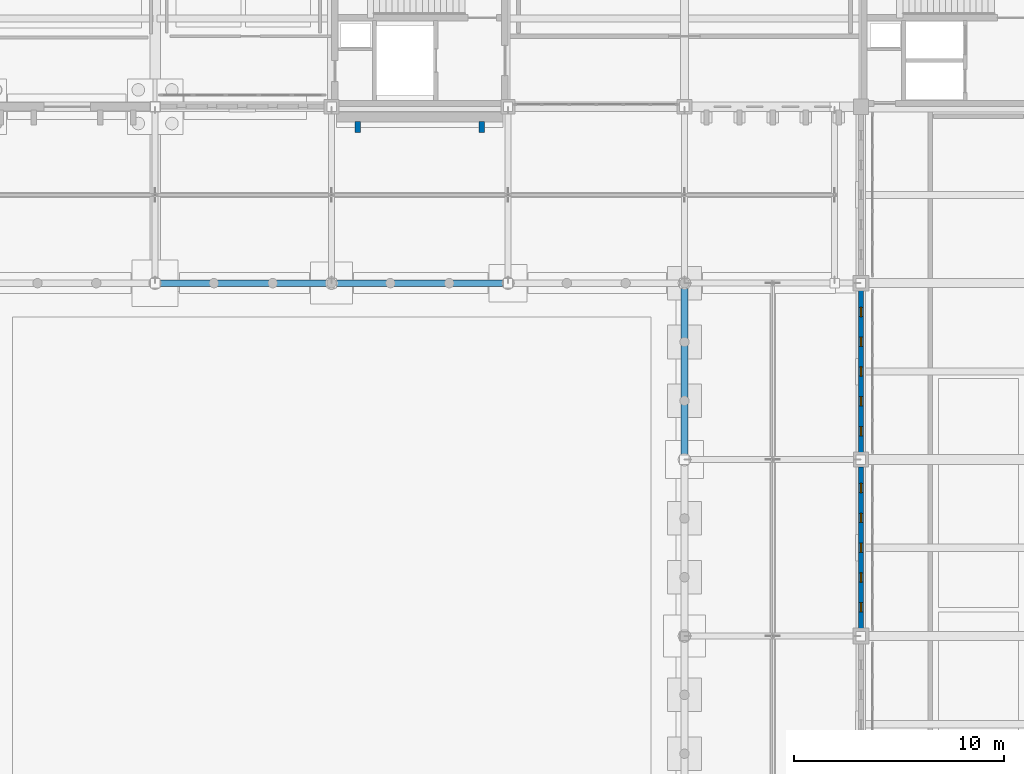
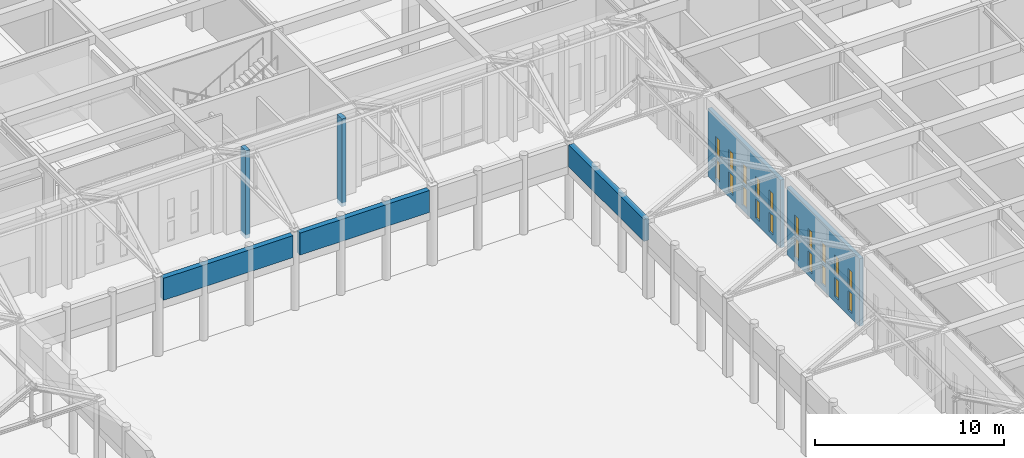
# One storey, part 120 of 143: 20 windows, 7 walls, 20 openings.
"""IFC4 building model written with IfcOpenShell, lengths in metres."""

import ifcopenshell
import ifcopenshell.guid

model = None  # the IFC model being written
_history = None  # IfcOwnerHistory: only IFC2X3 demands one
_inside = {}  # id of a spatial element -> (the spatial element, [elements in it])
_under = {}  # id of a project, library or spatial element -> (it, [spatial elements below it])
_declared = {}  # id of a project -> (the project, [libraries it declares])
_typed = {}  # id of a type object -> (the type object, [elements of that type])
_made_of = {}  # id of a material, layer set ... -> (it, [elements and type objects made of it])


def new_model(schema):
    """Start an empty IFC model of exactly this schema.

    Asked for "IFC4X3", IfcOpenShell would pick the latest addendum, in which some entities
    have other attributes; the version numbers below select the first issue.
    IFC2X3 requires an IfcOwnerHistory on every rooted entity: one is made here for all.
    """
    global model, _history
    if schema == "IFC4X3":
        model = ifcopenshell.file(schema_version=(4, 3, 0, 0))
    else:
        model = ifcopenshell.file(schema=schema)
    _inside.clear()
    _under.clear()
    _declared.clear()
    _typed.clear()
    _made_of.clear()
    _history = None
    if model.schema == "IFC2X3":
        org = make("IfcOrganization", Name="unknown")
        user = make(
            "IfcPersonAndOrganization",
            ThePerson=make("IfcPerson", FamilyName="unknown"),
            TheOrganization=org,
        )
        app = make(
            "IfcApplication",
            ApplicationDeveloper=org,
            Version="unknown",
            ApplicationFullName="unknown",
            ApplicationIdentifier="unknown",
        )
        _history = make(
            "IfcOwnerHistory",
            OwningUser=user,
            OwningApplication=app,
            ChangeAction="ADDED",
            CreationDate=0,
        )
    return model


def make(cls, **values):
    """One entity of the class cls with the attributes given. An attribute that is None is left unset."""
    return model.create_entity(
        cls, **{name: value for name, value in values.items() if value is not None}
    )


def rooted(cls, **values):
    """An entity with a GlobalId (a new one), such as an element, a storey or a relation."""
    return make(cls, GlobalId=ifcopenshell.guid.new(), OwnerHistory=_history, **values)


def si_unit(unit_type, name, prefix=None):
    """IfcSIUnit, for example si_unit("LENGTHUNIT", "METRE", prefix="MILLI")."""
    return make("IfcSIUnit", UnitType=unit_type, Prefix=prefix, Name=name)


def assignment(units):
    """IfcUnitAssignment: the units of a project."""
    return None if units is None else make("IfcUnitAssignment", Units=units)


def point(xyz):
    """IfcCartesianPoint."""
    return None if xyz is None else make("IfcCartesianPoint", Coordinates=xyz)


def direction(xyz):
    """IfcDirection."""
    return None if xyz is None else make("IfcDirection", DirectionRatios=xyz)


def frame(location, z_axis=None, x_axis=None):
    """IfcAxis2Placement3D, a coordinate frame: its origin and axes. An axis left out is left unset."""
    return make(
        "IfcAxis2Placement3D",
        Location=point(location),
        Axis=direction(z_axis),
        RefDirection=direction(x_axis),
    )


def frame_2d(location, x_axis=None):
    """IfcAxis2Placement2D, a coordinate frame in the plane: its origin and x axis."""
    return make(
        "IfcAxis2Placement2D", Location=point(location), RefDirection=direction(x_axis)
    )


def origin():
    """The frame at (0, 0, 0) with its axes left unset."""
    return frame((0.0, 0.0, 0.0))


def place(relative_to, where):
    """IfcLocalPlacement: puts the frame where relative to a parent placement (None: the world)."""
    return make(
        "IfcLocalPlacement", PlacementRelTo=relative_to, RelativePlacement=where
    )


def context(
    kind, dimensions, precision=None, world=None, true_north=None, identifier=None
):
    """IfcGeometricRepresentationContext, for example the 3D "Model" context."""
    return make(
        "IfcGeometricRepresentationContext",
        ContextIdentifier=identifier,
        ContextType=kind,
        CoordinateSpaceDimension=dimensions,
        Precision=precision,
        WorldCoordinateSystem=world,
        TrueNorth=true_north,
    )


def subcontext(parent, identifier, kind, view, scale=None):
    """IfcGeometricRepresentationSubContext, for example "Body" below "Model"."""
    return make(
        "IfcGeometricRepresentationSubContext",
        ContextIdentifier=identifier,
        ContextType=kind,
        ParentContext=parent,
        TargetScale=scale,
        TargetView=view,
    )


def project(units=None, contexts=None):
    """IfcProject with its units and contexts."""
    return rooted(
        "IfcProject",
        Name="project",
        RepresentationContexts=contexts,
        UnitsInContext=assignment(units),
    )


def spatial(cls, under=None, at=None, **own):
    """A site, building, storey or space (cls), placed at a placement, below another one or the project."""
    s = rooted(cls, ObjectPlacement=at, **own)
    if under is not None:
        _under.setdefault(under.id(), (under, []))[1].append(s)
    return s


def profile(cls, at=None, kind="AREA", **sizes):
    """A parametric profile (cls). Its sizes go by their IFC names, for example OverallWidth=200.0."""
    return make(cls, ProfileType=kind, Position=at, **sizes)


def rectangle(**sizes):
    """IfcRectangleProfileDef."""
    return profile("IfcRectangleProfileDef", **sizes)


def extrude(swept, where, along, depth):
    """IfcExtrudedAreaSolid: the profile swept, set in the frame where, extruded along a direction by depth."""
    return make(
        "IfcExtrudedAreaSolid",
        SweptArea=swept,
        Position=where,
        ExtrudedDirection=direction(along),
        Depth=depth,
    )


def shape(context_of_items, identifier, shape_type, items):
    """IfcShapeRepresentation: the items that make up one representation, for example the "Body"."""
    return make(
        "IfcShapeRepresentation",
        ContextOfItems=context_of_items,
        RepresentationIdentifier=identifier,
        RepresentationType=shape_type,
        Items=items,
    )


def material(Name=None, Category=None):
    """IfcMaterial."""
    return make("IfcMaterial", Name=Name, Category=Category)


def layer(
    of_material, thickness, ventilated=None, Name=None, Category=None, Priority=None
):
    """IfcMaterialLayer: one layer of a wall or slab, of a material (None: an air gap)."""
    return make(
        "IfcMaterialLayer",
        Material=of_material,
        LayerThickness=thickness,
        IsVentilated=ventilated,
        Name=Name,
        Category=Category,
        Priority=Priority,
    )


def layer_set(layers, Name=None):
    """IfcMaterialLayerSet."""
    return make("IfcMaterialLayerSet", MaterialLayers=layers, LayerSetName=Name)


def made_of(thing, what):
    """Note that an element or type object is made of a material, layer set ...; save() writes the relation."""
    if what is not None:
        _made_of.setdefault(what.id(), (what, []))[1].append(thing)
    return thing


def type_object(cls, material=None, **own):
    """A type object (cls), such as IfcWallType, which elements share."""
    return made_of(rooted(cls, **own), material)


def element(
    cls,
    number,
    at=None,
    inside=None,
    cuts=None,
    type_object=None,
    material=None,
    context=None,
    identifier="Body",
    shape_type=None,
    held_by="IfcProductDefinitionShape",
    body=None,
    shapes=None,
    **own,
):
    """One element of the class cls, such as IfcWall. Its Tag is "e" and its number.

    at: its placement. inside: the storey or other place that contains it. cuts: it is an
    opening in that element (IfcRelVoidsElement). A single representation is given by context,
    identifier, shape_type and body (its items); several are given by shapes. held_by: the class
    of the entity that holds the representations. save() writes the other relations.
    """
    e = rooted(cls, Tag="e%d" % number, ObjectPlacement=at, **own)
    if body is not None:
        shapes = [shape(context, identifier, shape_type, body)]
    if shapes is not None:
        e.Representation = make(held_by, Representations=shapes)
    if inside is not None:
        _inside.setdefault(inside.id(), (inside, []))[1].append(e)
    if cuts is not None:
        rooted(
            "IfcRelVoidsElement", RelatingBuildingElement=cuts, RelatedOpeningElement=e
        )
    if type_object is not None:
        _typed.setdefault(type_object.id(), (type_object, []))[1].append(e)
    return made_of(e, material)


def fill(opening, filler):
    """IfcRelFillsElement: the door or window that sits in an opening."""
    return rooted(
        "IfcRelFillsElement",
        RelatingOpeningElement=opening,
        RelatedBuildingElement=filler,
    )


def aggregate(whole, parts):
    """IfcRelAggregates: a whole, such as a stair, and the parts it consists of."""
    return rooted("IfcRelAggregates", RelatingObject=whole, RelatedObjects=parts)


def save(model, path):
    """Write the relations noted so far, then the file.

    IfcRelAggregates (storeys below a building ...), IfcRelContainedInSpatialStructure (elements
    in a storey), IfcRelDefinesByType, IfcRelAssociatesMaterial and IfcRelDeclares: one each for
    every whole, place, type object, material and project.
    """
    for whole, parts in _under.values():
        aggregate(whole, parts)
    for where, things in _inside.values():
        rooted(
            "IfcRelContainedInSpatialStructure",
            RelatedElements=things,
            RelatingStructure=where,
        )
    for kind, things in _typed.values():
        rooted("IfcRelDefinesByType", RelatedObjects=things, RelatingType=kind)
    for what, things in _made_of.values():
        rooted("IfcRelAssociatesMaterial", RelatedObjects=things, RelatingMaterial=what)
    for by, libraries in _declared.values():
        rooted("IfcRelDeclares", RelatingContext=by, RelatedDefinitions=libraries)
    model.write(path)


model = new_model("IFC4")

# Units and contexts
model_context = context("Model", 3, precision=1e-05, world=origin(), true_north=direction((0.0, 1.0)))
body_context = subcontext(model_context, "Body", "Model", "MODEL_VIEW")
ifc_project = project(units=[si_unit("LENGTHUNIT", "METRE"), si_unit("AREAUNIT", "SQUARE_METRE"), si_unit("VOLUMEUNIT", "CUBIC_METRE"), si_unit("PLANEANGLEUNIT", "RADIAN"), si_unit("MASSUNIT", "GRAM", prefix="KILO")], contexts=[model_context])

# Site, building, storey
site_placement = place(None, origin())
site = spatial("IfcSite", under=ifc_project, at=site_placement, CompositionType="ELEMENT")
building_placement = place(site_placement, origin())
building = spatial("IfcBuilding", under=site, at=building_placement, Name="Kveldsbrygga Polytechnic", CompositionType="ELEMENT")
storey_placement = place(building_placement, origin())
storey = spatial("IfcBuildingStorey", under=building, at=storey_placement, Name="L00", CompositionType="ELEMENT", Elevation=0.0)

# Walls
ifc_material_1 = material(Name="Fired clay brick masonry M10", Category="masonry")
ifc_layer_1 = layer(ifc_material_1, 0.320068359375)
ifc_layer_set_1 = layer_set([ifc_layer_1], Name="Fired clay brick masonry M10")
wall_type_1 = type_object("IfcWallType", Name="EW-ARC-320", PredefinedType="SOLIDWALL", material=ifc_layer_set_1)
wall_1_placement = place(storey_placement, frame((92.659912109375, 75.60009765625, 3.455078125), z_axis=(0.0, 0.0, 1.0), x_axis=(1.0, 0.0, 0.0)))
element("IfcWall", 1, at=wall_1_placement, inside=storey, type_object=wall_type_1, Name="Cloister Arcade Brick Arch Header ARC-HDR-13", PredefinedType="SOLIDWALL", context=body_context, shape_type="SweptSolid", body=[
    extrude(rectangle(XDim=7.93017578125, YDim=0.320068359375, at=frame_2d((3.965087890625, 0.0))), origin(), (0.0, 0.0, 1.0), 1.4248046875),
])
wall_2_placement = place(storey_placement, frame((101.010009765625, 75.60009765625, 3.455078125), z_axis=(0.0, 0.0, 1.0), x_axis=(1.0, 0.0, 0.0)))
element("IfcWall", 2, at=wall_2_placement, inside=storey, type_object=wall_type_1, Name="Cloister Arcade Brick Arch Header ARC-HDR-14", PredefinedType="SOLIDWALL", context=body_context, shape_type="SweptSolid", body=[
    extrude(rectangle(XDim=7.929931640625, YDim=0.320068359375, at=frame_2d((3.96484375, 0.0))), origin(), (0.0, 0.0, 1.0), 1.4248046875),
])
wall_3_placement = place(storey_placement, frame((117.60009765625, 67.409912109375, 3.455078125), z_axis=(0.0, 0.0, 1.0), x_axis=(0.0, 1.0, 0.0)))
element("IfcWall", 3, at=wall_3_placement, inside=storey, type_object=wall_type_1, Name="Cloister Arcade Brick Arch Header ARC-HDR-25", PredefinedType="SOLIDWALL", context=body_context, shape_type="SweptSolid", body=[
    extrude(rectangle(XDim=7.97998046875, YDim=0.320068359375, at=frame_2d((3.989990234375, 0.0))), origin(), (0.0, 0.0, 1.0), 1.4248046875),
])
ifc_layer_2 = layer(ifc_material_1, 0.260009765625)
ifc_layer_set_2 = layer_set([ifc_layer_2], Name="Fired clay brick masonry M10")
wall_type_2 = type_object("IfcWallType", Name="EW-BUTT-260", PredefinedType="SOLIDWALL", material=ifc_layer_set_2)
for number, where, z_axis, x_axis, name in (
    (4, (102.050048828125, 83.300048828125, -0.25), (0.0, 0.0, 1.0), (0.0, -1.0, 0.0), "Gothic Brick Buttress Pier BCLAS-L00-X-12-10-1"),
    (5, (107.949951171875, 83.300048828125, -0.25), (0.0, 0.0, 1.0), (0.0, -1.0, 0.0), "Gothic Brick Buttress Pier BCLAS-L00-X-12-10-2"),
):
    element("IfcWall", number, at=place(storey_placement, frame(where, z_axis=z_axis, x_axis=x_axis)), inside=storey, type_object=wall_type_2, Name=name, PredefinedType="SOLIDWALL", context=body_context, shape_type="SweptSolid", body=[
        extrude(rectangle(XDim=0.52001953125, YDim=0.260009765625, at=frame_2d((0.260009765625, 0.0))), origin(), (0.0, 0.0, 1.0), 5.68994140625),
    ])

# Wall, openings, windows
ifc_layer_3 = layer(ifc_material_1, 0.239990234375)
ifc_layer_set_3 = layer_set([ifc_layer_3], Name="Fired clay brick masonry M10")
wall_type_3 = type_object("IfcWallType", Name="EW-SCRN-240", PredefinedType="SOLIDWALL", material=ifc_layer_set_3)
wall_4_placement = place(storey_placement, frame((126.0, 59.159912109375, 0.0), z_axis=(0.0, 0.0, 1.0), x_axis=(0.0, 1.0, 0.0)))
wall_4 = element("IfcWall", 6, at=wall_4_placement, inside=storey, type_object=wall_type_3, Name="Perforated Brick Corridor Screen Wall SCRW-L00-Y-15-07", PredefinedType="SOLIDWALL", context=body_context, shape_type="SweptSolid", body=[
    extrude(rectangle(XDim=7.695068359375, YDim=0.239990234375, at=frame_2d((3.84765625, 0.0))), origin(), (0.0, 0.0, 1.0), 4.389892578125),
])
opening_1_placement = place(wall_4_placement, frame((0.78955078125, 0.0, 0.35009765625)))
opening_1 = element("IfcOpeningElement", 7, at=opening_1_placement, cuts=wall_4, Name="Opening W-48", PredefinedType="OPENING", context=body_context, shape_type="SweptSolid", body=[
    extrude(rectangle(XDim=0.43994140625, YDim=1.25, at=frame_2d((0.219970703125, 0.625))), frame((0.0, 0.1298828125, 0.0), z_axis=(0.0, -1.0, 0.0), x_axis=(1.0, 0.0, 0.0)), (0.0, 0.0, 1.0), 0.260009765625),
])
opening_2_placement = place(wall_4_placement, frame((2.20849609375, 0.0, 0.35009765625)))
opening_2 = element("IfcOpeningElement", 8, at=opening_2_placement, cuts=wall_4, Name="Opening W-48", PredefinedType="OPENING", context=body_context, shape_type="SweptSolid", body=[
    extrude(rectangle(XDim=0.43994140625, YDim=1.25, at=frame_2d((0.219970703125, 0.625))), frame((0.0, 0.1298828125, 0.0), z_axis=(0.0, -1.0, 0.0), x_axis=(1.0, 0.0, 0.0)), (0.0, 0.0, 1.0), 0.260009765625),
])
opening_3_placement = place(wall_4_placement, frame((3.62744140625, 0.0, 0.35009765625)))
opening_3 = element("IfcOpeningElement", 9, at=opening_3_placement, cuts=wall_4, Name="Opening W-48", PredefinedType="OPENING", context=body_context, shape_type="SweptSolid", body=[
    extrude(rectangle(XDim=0.43994140625, YDim=1.25, at=frame_2d((0.219970703125, 0.625))), frame((0.0, 0.1298828125, 0.0), z_axis=(0.0, -1.0, 0.0), x_axis=(1.0, 0.0, 0.0)), (0.0, 0.0, 1.0), 0.260009765625),
])
opening_4_placement = place(wall_4_placement, frame((5.04638671875, 0.0, 0.35009765625)))
opening_4 = element("IfcOpeningElement", 10, at=opening_4_placement, cuts=wall_4, Name="Opening W-48", PredefinedType="OPENING", context=body_context, shape_type="SweptSolid", body=[
    extrude(rectangle(XDim=0.43994140625, YDim=1.25, at=frame_2d((0.219970703125, 0.625))), frame((0.0, 0.1298828125, 0.0), z_axis=(0.0, -1.0, 0.0), x_axis=(1.0, 0.0, 0.0)), (0.0, 0.0, 1.0), 0.260009765625),
])
opening_5_placement = place(wall_4_placement, frame((6.465576171875, 0.0, 0.35009765625)))
opening_5 = element("IfcOpeningElement", 11, at=opening_5_placement, cuts=wall_4, Name="Opening W-48", PredefinedType="OPENING", context=body_context, shape_type="SweptSolid", body=[
    extrude(rectangle(XDim=0.43994140625, YDim=1.25, at=frame_2d((0.219970703125, 0.625))), frame((0.0, 0.1298828125, 0.0), z_axis=(0.0, -1.0, 0.0), x_axis=(1.0, 0.0, 0.0)), (0.0, 0.0, 1.0), 0.260009765625),
])
opening_6_placement = place(wall_4_placement, frame((0.78955078125, 0.0, 1.800048828125)))
opening_6 = element("IfcOpeningElement", 12, at=opening_6_placement, cuts=wall_4, Name="Opening W-48", PredefinedType="OPENING", context=body_context, shape_type="SweptSolid", body=[
    extrude(rectangle(XDim=0.43994140625, YDim=1.25, at=frame_2d((0.219970703125, 0.625))), frame((0.0, 0.1298828125, 0.0), z_axis=(0.0, -1.0, 0.0), x_axis=(1.0, 0.0, 0.0)), (0.0, 0.0, 1.0), 0.260009765625),
])
opening_7_placement = place(wall_4_placement, frame((2.20849609375, 0.0, 1.800048828125)))
opening_7 = element("IfcOpeningElement", 13, at=opening_7_placement, cuts=wall_4, Name="Opening W-48", PredefinedType="OPENING", context=body_context, shape_type="SweptSolid", body=[
    extrude(rectangle(XDim=0.43994140625, YDim=1.25, at=frame_2d((0.219970703125, 0.625))), frame((0.0, 0.1298828125, 0.0), z_axis=(0.0, -1.0, 0.0), x_axis=(1.0, 0.0, 0.0)), (0.0, 0.0, 1.0), 0.260009765625),
])
opening_8_placement = place(wall_4_placement, frame((3.62744140625, 0.0, 1.800048828125)))
opening_8 = element("IfcOpeningElement", 14, at=opening_8_placement, cuts=wall_4, Name="Opening W-48", PredefinedType="OPENING", context=body_context, shape_type="SweptSolid", body=[
    extrude(rectangle(XDim=0.43994140625, YDim=1.25, at=frame_2d((0.219970703125, 0.625))), frame((0.0, 0.1298828125, 0.0), z_axis=(0.0, -1.0, 0.0), x_axis=(1.0, 0.0, 0.0)), (0.0, 0.0, 1.0), 0.260009765625),
])
opening_9_placement = place(wall_4_placement, frame((5.04638671875, 0.0, 1.800048828125)))
opening_9 = element("IfcOpeningElement", 15, at=opening_9_placement, cuts=wall_4, Name="Opening W-48", PredefinedType="OPENING", context=body_context, shape_type="SweptSolid", body=[
    extrude(rectangle(XDim=0.43994140625, YDim=1.25, at=frame_2d((0.219970703125, 0.625))), frame((0.0, 0.1298828125, 0.0), z_axis=(0.0, -1.0, 0.0), x_axis=(1.0, 0.0, 0.0)), (0.0, 0.0, 1.0), 0.260009765625),
])
opening_10_placement = place(wall_4_placement, frame((6.465576171875, 0.0, 1.800048828125)))
opening_10 = element("IfcOpeningElement", 16, at=opening_10_placement, cuts=wall_4, Name="Opening W-48", PredefinedType="OPENING", context=body_context, shape_type="SweptSolid", body=[
    extrude(rectangle(XDim=0.43994140625, YDim=1.25, at=frame_2d((0.219970703125, 0.625))), frame((0.0, 0.1298828125, 0.0), z_axis=(0.0, -1.0, 0.0), x_axis=(1.0, 0.0, 0.0)), (0.0, 0.0, 1.0), 0.260009765625),
])
ifc_material_2 = material(Name="Insulated triple low-E glass", Category="glass")
window_type = type_object("IfcWindowType", Name="WN-SCRN-044x125", PartitioningType="SINGLE_PANEL", PredefinedType="WINDOW", material=ifc_material_2)
window_1_placement = place(opening_1_placement, origin())
window_1 = element("IfcWindow", 17, at=window_1_placement, inside=storey, type_object=window_type, Name="Perforated Screen Aperture L00-Y-15-07-1", OverallHeight=1.25, OverallWidth=0.43994140625, PartitioningType="SINGLE_PANEL", PredefinedType="WINDOW", context=body_context, shape_type="SweptSolid", body=[
    extrude(rectangle(XDim=0.43994140625, YDim=1.25, at=frame_2d((0.219970703125, 0.625))), frame((0.0, 0.030029296875, 0.0), z_axis=(0.0, -1.0, 0.0), x_axis=(1.0, 0.0, 0.0)), (0.0, 0.0, 1.0), 0.06005859375),
])
fill(opening_1, window_1)
window_2_placement = place(opening_2_placement, origin())
window_2 = element("IfcWindow", 18, at=window_2_placement, inside=storey, type_object=window_type, Name="Perforated Screen Aperture L00-Y-15-07-2", OverallHeight=1.25, OverallWidth=0.43994140625, PartitioningType="SINGLE_PANEL", PredefinedType="WINDOW", context=body_context, shape_type="SweptSolid", body=[
    extrude(rectangle(XDim=0.43994140625, YDim=1.25, at=frame_2d((0.219970703125, 0.625))), frame((0.0, 0.030029296875, 0.0), z_axis=(0.0, -1.0, 0.0), x_axis=(1.0, 0.0, 0.0)), (0.0, 0.0, 1.0), 0.06005859375),
])
fill(opening_2, window_2)
window_3_placement = place(opening_3_placement, origin())
window_3 = element("IfcWindow", 19, at=window_3_placement, inside=storey, type_object=window_type, Name="Perforated Screen Aperture L00-Y-15-07-3", OverallHeight=1.25, OverallWidth=0.43994140625, PartitioningType="SINGLE_PANEL", PredefinedType="WINDOW", context=body_context, shape_type="SweptSolid", body=[
    extrude(rectangle(XDim=0.43994140625, YDim=1.25, at=frame_2d((0.219970703125, 0.625))), frame((0.0, 0.030029296875, 0.0), z_axis=(0.0, -1.0, 0.0), x_axis=(1.0, 0.0, 0.0)), (0.0, 0.0, 1.0), 0.06005859375),
])
fill(opening_3, window_3)
window_4_placement = place(opening_4_placement, origin())
window_4 = element("IfcWindow", 20, at=window_4_placement, inside=storey, type_object=window_type, Name="Perforated Screen Aperture L00-Y-15-07-4", OverallHeight=1.25, OverallWidth=0.43994140625, PartitioningType="SINGLE_PANEL", PredefinedType="WINDOW", context=body_context, shape_type="SweptSolid", body=[
    extrude(rectangle(XDim=0.43994140625, YDim=1.25, at=frame_2d((0.219970703125, 0.625))), frame((0.0, 0.030029296875, 0.0), z_axis=(0.0, -1.0, 0.0), x_axis=(1.0, 0.0, 0.0)), (0.0, 0.0, 1.0), 0.06005859375),
])
fill(opening_4, window_4)
window_5_placement = place(opening_5_placement, origin())
window_5 = element("IfcWindow", 21, at=window_5_placement, inside=storey, type_object=window_type, Name="Perforated Screen Aperture L00-Y-15-07-5", OverallHeight=1.25, OverallWidth=0.43994140625, PartitioningType="SINGLE_PANEL", PredefinedType="WINDOW", context=body_context, shape_type="SweptSolid", body=[
    extrude(rectangle(XDim=0.43994140625, YDim=1.25, at=frame_2d((0.219970703125, 0.625))), frame((0.0, 0.030029296875, 0.0), z_axis=(0.0, -1.0, 0.0), x_axis=(1.0, 0.0, 0.0)), (0.0, 0.0, 1.0), 0.06005859375),
])
fill(opening_5, window_5)
window_6_placement = place(opening_6_placement, origin())
window_6 = element("IfcWindow", 22, at=window_6_placement, inside=storey, type_object=window_type, Name="Perforated Screen Aperture L00-Y-15-07-6", OverallHeight=1.25, OverallWidth=0.43994140625, PartitioningType="SINGLE_PANEL", PredefinedType="WINDOW", context=body_context, shape_type="SweptSolid", body=[
    extrude(rectangle(XDim=0.43994140625, YDim=1.25, at=frame_2d((0.219970703125, 0.625))), frame((0.0, 0.030029296875, 0.0), z_axis=(0.0, -1.0, 0.0), x_axis=(1.0, 0.0, 0.0)), (0.0, 0.0, 1.0), 0.06005859375),
])
fill(opening_6, window_6)
window_7_placement = place(opening_7_placement, origin())
window_7 = element("IfcWindow", 23, at=window_7_placement, inside=storey, type_object=window_type, Name="Perforated Screen Aperture L00-Y-15-07-7", OverallHeight=1.25, OverallWidth=0.43994140625, PartitioningType="SINGLE_PANEL", PredefinedType="WINDOW", context=body_context, shape_type="SweptSolid", body=[
    extrude(rectangle(XDim=0.43994140625, YDim=1.25, at=frame_2d((0.219970703125, 0.625))), frame((0.0, 0.030029296875, 0.0), z_axis=(0.0, -1.0, 0.0), x_axis=(1.0, 0.0, 0.0)), (0.0, 0.0, 1.0), 0.06005859375),
])
fill(opening_7, window_7)
window_8_placement = place(opening_8_placement, origin())
window_8 = element("IfcWindow", 24, at=window_8_placement, inside=storey, type_object=window_type, Name="Perforated Screen Aperture L00-Y-15-07-8", OverallHeight=1.25, OverallWidth=0.43994140625, PartitioningType="SINGLE_PANEL", PredefinedType="WINDOW", context=body_context, shape_type="SweptSolid", body=[
    extrude(rectangle(XDim=0.43994140625, YDim=1.25, at=frame_2d((0.219970703125, 0.625))), frame((0.0, 0.030029296875, 0.0), z_axis=(0.0, -1.0, 0.0), x_axis=(1.0, 0.0, 0.0)), (0.0, 0.0, 1.0), 0.06005859375),
])
fill(opening_8, window_8)
window_9_placement = place(opening_9_placement, origin())
window_9 = element("IfcWindow", 25, at=window_9_placement, inside=storey, type_object=window_type, Name="Perforated Screen Aperture L00-Y-15-07-9", OverallHeight=1.25, OverallWidth=0.43994140625, PartitioningType="SINGLE_PANEL", PredefinedType="WINDOW", context=body_context, shape_type="SweptSolid", body=[
    extrude(rectangle(XDim=0.43994140625, YDim=1.25, at=frame_2d((0.219970703125, 0.625))), frame((0.0, 0.030029296875, 0.0), z_axis=(0.0, -1.0, 0.0), x_axis=(1.0, 0.0, 0.0)), (0.0, 0.0, 1.0), 0.06005859375),
])
fill(opening_9, window_9)
window_10_placement = place(opening_10_placement, origin())
window_10 = element("IfcWindow", 26, at=window_10_placement, inside=storey, type_object=window_type, Name="Perforated Screen Aperture L00-Y-15-07-10", OverallHeight=1.25, OverallWidth=0.43994140625, PartitioningType="SINGLE_PANEL", PredefinedType="WINDOW", context=body_context, shape_type="SweptSolid", body=[
    extrude(rectangle(XDim=0.43994140625, YDim=1.25, at=frame_2d((0.219970703125, 0.625))), frame((0.0, 0.030029296875, 0.0), z_axis=(0.0, -1.0, 0.0), x_axis=(1.0, 0.0, 0.0)), (0.0, 0.0, 1.0), 0.06005859375),
])
fill(opening_10, window_10)

wall_5_placement = place(storey_placement, frame((126.0, 67.544921875, 0.0), z_axis=(0.0, 0.0, 1.0), x_axis=(0.0, 1.0, 0.0)))
wall_5 = element("IfcWall", 27, at=wall_5_placement, inside=storey, type_object=wall_type_3, Name="Perforated Brick Corridor Screen Wall SCRW-L00-Y-15-08", PredefinedType="SOLIDWALL", context=body_context, shape_type="SweptSolid", body=[
    extrude(rectangle(XDim=7.695068359375, YDim=0.239990234375, at=frame_2d((3.84765625, 0.0))), origin(), (0.0, 0.0, 1.0), 4.389892578125),
])
opening_11_placement = place(wall_5_placement, frame((0.78955078125, 0.0, 0.35009765625)))
opening_11 = element("IfcOpeningElement", 28, at=opening_11_placement, cuts=wall_5, Name="Opening W-48", PredefinedType="OPENING", context=body_context, shape_type="SweptSolid", body=[
    extrude(rectangle(XDim=0.43994140625, YDim=1.25, at=frame_2d((0.219970703125, 0.625))), frame((0.0, 0.1298828125, 0.0), z_axis=(0.0, -1.0, 0.0), x_axis=(1.0, 0.0, 0.0)), (0.0, 0.0, 1.0), 0.260009765625),
])
opening_12_placement = place(wall_5_placement, frame((2.20849609375, 0.0, 0.35009765625)))
opening_12 = element("IfcOpeningElement", 29, at=opening_12_placement, cuts=wall_5, Name="Opening W-48", PredefinedType="OPENING", context=body_context, shape_type="SweptSolid", body=[
    extrude(rectangle(XDim=0.43994140625, YDim=1.25, at=frame_2d((0.219970703125, 0.625))), frame((0.0, 0.1298828125, 0.0), z_axis=(0.0, -1.0, 0.0), x_axis=(1.0, 0.0, 0.0)), (0.0, 0.0, 1.0), 0.260009765625),
])
opening_13_placement = place(wall_5_placement, frame((3.62744140625, 0.0, 0.35009765625)))
opening_13 = element("IfcOpeningElement", 30, at=opening_13_placement, cuts=wall_5, Name="Opening W-48", PredefinedType="OPENING", context=body_context, shape_type="SweptSolid", body=[
    extrude(rectangle(XDim=0.43994140625, YDim=1.25, at=frame_2d((0.219970703125, 0.625))), frame((0.0, 0.1298828125, 0.0), z_axis=(0.0, -1.0, 0.0), x_axis=(1.0, 0.0, 0.0)), (0.0, 0.0, 1.0), 0.260009765625),
])
opening_14_placement = place(wall_5_placement, frame((5.04638671875, 0.0, 0.35009765625)))
opening_14 = element("IfcOpeningElement", 31, at=opening_14_placement, cuts=wall_5, Name="Opening W-48", PredefinedType="OPENING", context=body_context, shape_type="SweptSolid", body=[
    extrude(rectangle(XDim=0.43994140625, YDim=1.25, at=frame_2d((0.219970703125, 0.625))), frame((0.0, 0.1298828125, 0.0), z_axis=(0.0, -1.0, 0.0), x_axis=(1.0, 0.0, 0.0)), (0.0, 0.0, 1.0), 0.260009765625),
])
opening_15_placement = place(wall_5_placement, frame((6.465576171875, 0.0, 0.35009765625)))
opening_15 = element("IfcOpeningElement", 32, at=opening_15_placement, cuts=wall_5, Name="Opening W-48", PredefinedType="OPENING", context=body_context, shape_type="SweptSolid", body=[
    extrude(rectangle(XDim=0.43994140625, YDim=1.25, at=frame_2d((0.219970703125, 0.625))), frame((0.0, 0.1298828125, 0.0), z_axis=(0.0, -1.0, 0.0), x_axis=(1.0, 0.0, 0.0)), (0.0, 0.0, 1.0), 0.260009765625),
])
opening_16_placement = place(wall_5_placement, frame((0.78955078125, 0.0, 1.800048828125)))
opening_16 = element("IfcOpeningElement", 33, at=opening_16_placement, cuts=wall_5, Name="Opening W-48", PredefinedType="OPENING", context=body_context, shape_type="SweptSolid", body=[
    extrude(rectangle(XDim=0.43994140625, YDim=1.25, at=frame_2d((0.219970703125, 0.625))), frame((0.0, 0.1298828125, 0.0), z_axis=(0.0, -1.0, 0.0), x_axis=(1.0, 0.0, 0.0)), (0.0, 0.0, 1.0), 0.260009765625),
])
opening_17_placement = place(wall_5_placement, frame((2.20849609375, 0.0, 1.800048828125)))
opening_17 = element("IfcOpeningElement", 34, at=opening_17_placement, cuts=wall_5, Name="Opening W-48", PredefinedType="OPENING", context=body_context, shape_type="SweptSolid", body=[
    extrude(rectangle(XDim=0.43994140625, YDim=1.25, at=frame_2d((0.219970703125, 0.625))), frame((0.0, 0.1298828125, 0.0), z_axis=(0.0, -1.0, 0.0), x_axis=(1.0, 0.0, 0.0)), (0.0, 0.0, 1.0), 0.260009765625),
])
opening_18_placement = place(wall_5_placement, frame((3.62744140625, 0.0, 1.800048828125)))
opening_18 = element("IfcOpeningElement", 35, at=opening_18_placement, cuts=wall_5, Name="Opening W-48", PredefinedType="OPENING", context=body_context, shape_type="SweptSolid", body=[
    extrude(rectangle(XDim=0.43994140625, YDim=1.25, at=frame_2d((0.219970703125, 0.625))), frame((0.0, 0.1298828125, 0.0), z_axis=(0.0, -1.0, 0.0), x_axis=(1.0, 0.0, 0.0)), (0.0, 0.0, 1.0), 0.260009765625),
])
opening_19_placement = place(wall_5_placement, frame((5.04638671875, 0.0, 1.800048828125)))
opening_19 = element("IfcOpeningElement", 36, at=opening_19_placement, cuts=wall_5, Name="Opening W-48", PredefinedType="OPENING", context=body_context, shape_type="SweptSolid", body=[
    extrude(rectangle(XDim=0.43994140625, YDim=1.25, at=frame_2d((0.219970703125, 0.625))), frame((0.0, 0.1298828125, 0.0), z_axis=(0.0, -1.0, 0.0), x_axis=(1.0, 0.0, 0.0)), (0.0, 0.0, 1.0), 0.260009765625),
])
opening_20_placement = place(wall_5_placement, frame((6.465576171875, 0.0, 1.800048828125)))
opening_20 = element("IfcOpeningElement", 37, at=opening_20_placement, cuts=wall_5, Name="Opening W-48", PredefinedType="OPENING", context=body_context, shape_type="SweptSolid", body=[
    extrude(rectangle(XDim=0.43994140625, YDim=1.25, at=frame_2d((0.219970703125, 0.625))), frame((0.0, 0.1298828125, 0.0), z_axis=(0.0, -1.0, 0.0), x_axis=(1.0, 0.0, 0.0)), (0.0, 0.0, 1.0), 0.260009765625),
])
window_11_placement = place(opening_11_placement, origin())
window_11 = element("IfcWindow", 38, at=window_11_placement, inside=storey, type_object=window_type, Name="Perforated Screen Aperture L00-Y-15-08-1", OverallHeight=1.25, OverallWidth=0.43994140625, PartitioningType="SINGLE_PANEL", PredefinedType="WINDOW", context=body_context, shape_type="SweptSolid", body=[
    extrude(rectangle(XDim=0.43994140625, YDim=1.25, at=frame_2d((0.219970703125, 0.625))), frame((0.0, 0.030029296875, 0.0), z_axis=(0.0, -1.0, 0.0), x_axis=(1.0, 0.0, 0.0)), (0.0, 0.0, 1.0), 0.06005859375),
])
fill(opening_11, window_11)
window_12_placement = place(opening_12_placement, origin())
window_12 = element("IfcWindow", 39, at=window_12_placement, inside=storey, type_object=window_type, Name="Perforated Screen Aperture L00-Y-15-08-2", OverallHeight=1.25, OverallWidth=0.43994140625, PartitioningType="SINGLE_PANEL", PredefinedType="WINDOW", context=body_context, shape_type="SweptSolid", body=[
    extrude(rectangle(XDim=0.43994140625, YDim=1.25, at=frame_2d((0.219970703125, 0.625))), frame((0.0, 0.030029296875, 0.0), z_axis=(0.0, -1.0, 0.0), x_axis=(1.0, 0.0, 0.0)), (0.0, 0.0, 1.0), 0.06005859375),
])
fill(opening_12, window_12)
window_13_placement = place(opening_13_placement, origin())
window_13 = element("IfcWindow", 40, at=window_13_placement, inside=storey, type_object=window_type, Name="Perforated Screen Aperture L00-Y-15-08-3", OverallHeight=1.25, OverallWidth=0.43994140625, PartitioningType="SINGLE_PANEL", PredefinedType="WINDOW", context=body_context, shape_type="SweptSolid", body=[
    extrude(rectangle(XDim=0.43994140625, YDim=1.25, at=frame_2d((0.219970703125, 0.625))), frame((0.0, 0.030029296875, 0.0), z_axis=(0.0, -1.0, 0.0), x_axis=(1.0, 0.0, 0.0)), (0.0, 0.0, 1.0), 0.06005859375),
])
fill(opening_13, window_13)
window_14_placement = place(opening_14_placement, origin())
window_14 = element("IfcWindow", 41, at=window_14_placement, inside=storey, type_object=window_type, Name="Perforated Screen Aperture L00-Y-15-08-4", OverallHeight=1.25, OverallWidth=0.43994140625, PartitioningType="SINGLE_PANEL", PredefinedType="WINDOW", context=body_context, shape_type="SweptSolid", body=[
    extrude(rectangle(XDim=0.43994140625, YDim=1.25, at=frame_2d((0.219970703125, 0.625))), frame((0.0, 0.030029296875, 0.0), z_axis=(0.0, -1.0, 0.0), x_axis=(1.0, 0.0, 0.0)), (0.0, 0.0, 1.0), 0.06005859375),
])
fill(opening_14, window_14)
window_15_placement = place(opening_15_placement, origin())
window_15 = element("IfcWindow", 42, at=window_15_placement, inside=storey, type_object=window_type, Name="Perforated Screen Aperture L00-Y-15-08-5", OverallHeight=1.25, OverallWidth=0.43994140625, PartitioningType="SINGLE_PANEL", PredefinedType="WINDOW", context=body_context, shape_type="SweptSolid", body=[
    extrude(rectangle(XDim=0.43994140625, YDim=1.25, at=frame_2d((0.219970703125, 0.625))), frame((0.0, 0.030029296875, 0.0), z_axis=(0.0, -1.0, 0.0), x_axis=(1.0, 0.0, 0.0)), (0.0, 0.0, 1.0), 0.06005859375),
])
fill(opening_15, window_15)
window_16_placement = place(opening_16_placement, origin())
window_16 = element("IfcWindow", 43, at=window_16_placement, inside=storey, type_object=window_type, Name="Perforated Screen Aperture L00-Y-15-08-6", OverallHeight=1.25, OverallWidth=0.43994140625, PartitioningType="SINGLE_PANEL", PredefinedType="WINDOW", context=body_context, shape_type="SweptSolid", body=[
    extrude(rectangle(XDim=0.43994140625, YDim=1.25, at=frame_2d((0.219970703125, 0.625))), frame((0.0, 0.030029296875, 0.0), z_axis=(0.0, -1.0, 0.0), x_axis=(1.0, 0.0, 0.0)), (0.0, 0.0, 1.0), 0.06005859375),
])
fill(opening_16, window_16)
window_17_placement = place(opening_17_placement, origin())
window_17 = element("IfcWindow", 44, at=window_17_placement, inside=storey, type_object=window_type, Name="Perforated Screen Aperture L00-Y-15-08-7", OverallHeight=1.25, OverallWidth=0.43994140625, PartitioningType="SINGLE_PANEL", PredefinedType="WINDOW", context=body_context, shape_type="SweptSolid", body=[
    extrude(rectangle(XDim=0.43994140625, YDim=1.25, at=frame_2d((0.219970703125, 0.625))), frame((0.0, 0.030029296875, 0.0), z_axis=(0.0, -1.0, 0.0), x_axis=(1.0, 0.0, 0.0)), (0.0, 0.0, 1.0), 0.06005859375),
])
fill(opening_17, window_17)
window_18_placement = place(opening_18_placement, origin())
window_18 = element("IfcWindow", 45, at=window_18_placement, inside=storey, type_object=window_type, Name="Perforated Screen Aperture L00-Y-15-08-8", OverallHeight=1.25, OverallWidth=0.43994140625, PartitioningType="SINGLE_PANEL", PredefinedType="WINDOW", context=body_context, shape_type="SweptSolid", body=[
    extrude(rectangle(XDim=0.43994140625, YDim=1.25, at=frame_2d((0.219970703125, 0.625))), frame((0.0, 0.030029296875, 0.0), z_axis=(0.0, -1.0, 0.0), x_axis=(1.0, 0.0, 0.0)), (0.0, 0.0, 1.0), 0.06005859375),
])
fill(opening_18, window_18)
window_19_placement = place(opening_19_placement, origin())
window_19 = element("IfcWindow", 46, at=window_19_placement, inside=storey, type_object=window_type, Name="Perforated Screen Aperture L00-Y-15-08-9", OverallHeight=1.25, OverallWidth=0.43994140625, PartitioningType="SINGLE_PANEL", PredefinedType="WINDOW", context=body_context, shape_type="SweptSolid", body=[
    extrude(rectangle(XDim=0.43994140625, YDim=1.25, at=frame_2d((0.219970703125, 0.625))), frame((0.0, 0.030029296875, 0.0), z_axis=(0.0, -1.0, 0.0), x_axis=(1.0, 0.0, 0.0)), (0.0, 0.0, 1.0), 0.06005859375),
])
fill(opening_19, window_19)
window_20_placement = place(opening_20_placement, origin())
window_20 = element("IfcWindow", 47, at=window_20_placement, inside=storey, type_object=window_type, Name="Perforated Screen Aperture L00-Y-15-08-10", OverallHeight=1.25, OverallWidth=0.43994140625, PartitioningType="SINGLE_PANEL", PredefinedType="WINDOW", context=body_context, shape_type="SweptSolid", body=[
    extrude(rectangle(XDim=0.43994140625, YDim=1.25, at=frame_2d((0.219970703125, 0.625))), frame((0.0, 0.030029296875, 0.0), z_axis=(0.0, -1.0, 0.0), x_axis=(1.0, 0.0, 0.0)), (0.0, 0.0, 1.0), 0.06005859375),
])
fill(opening_20, window_20)

save(model, "model.ifc")
